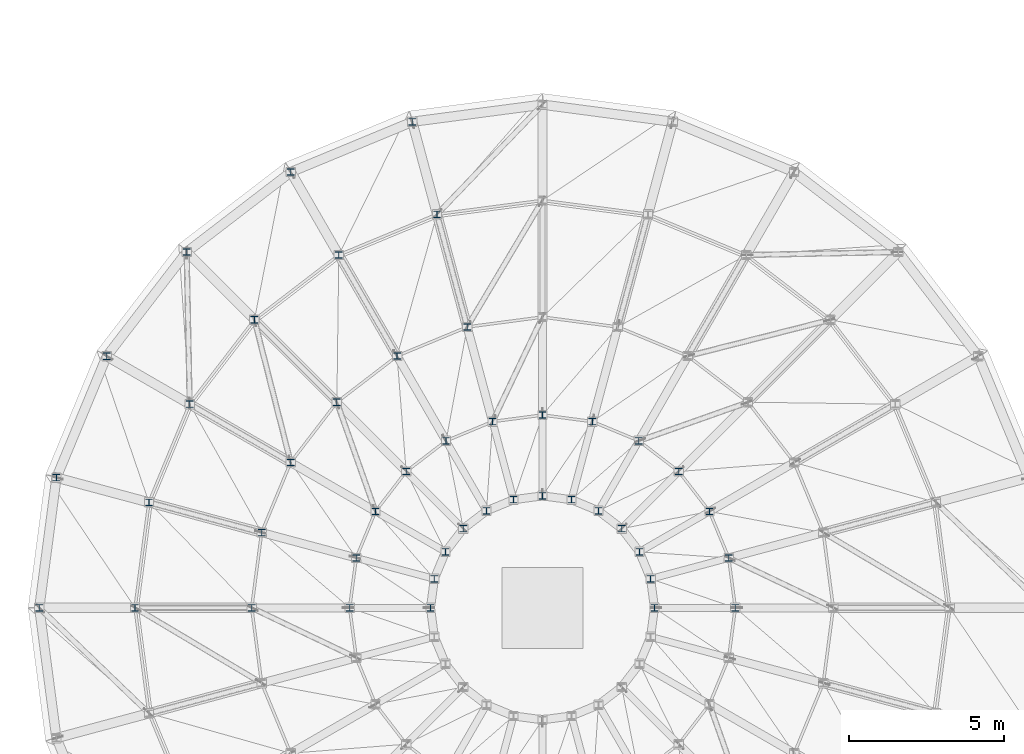
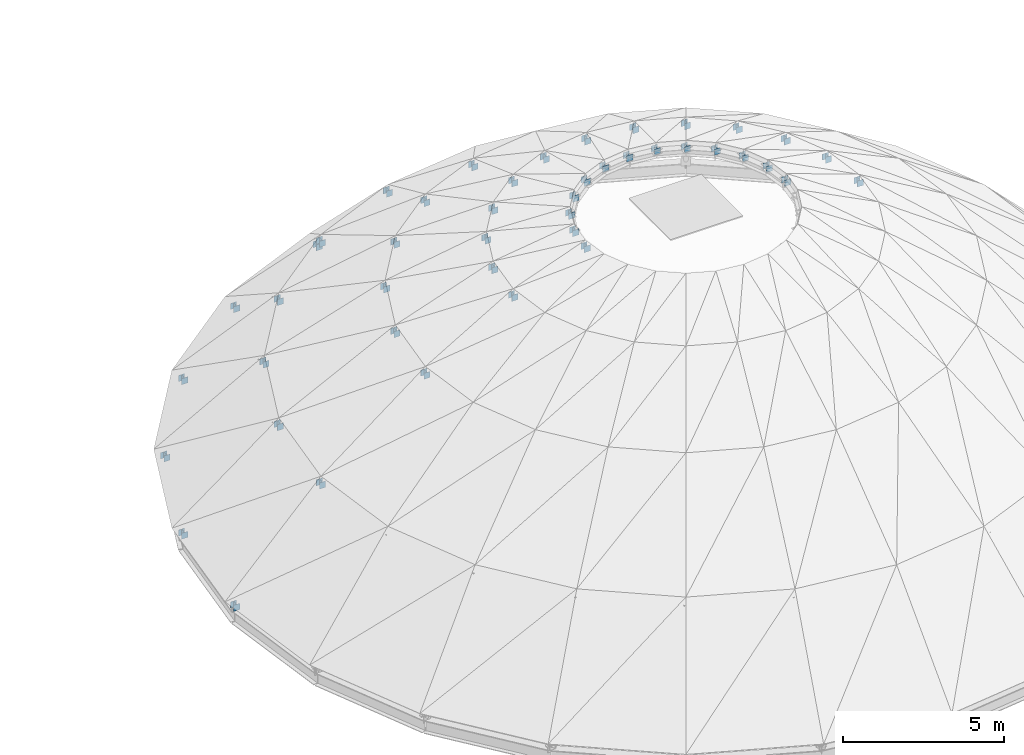
# One storey, part 8 of 19: 44 members.
"""IFC4 building model written with IfcOpenShell, lengths in metres."""

from ifc_helpers import new_model, si_unit, direction, frame, origin, origin_2d, place, context, subcontext, project, spatial, i_section, extrude, material, material_profile, profile_set, type_object, element, save


model = new_model("IFC4")

# Units and contexts
model_context = context("Model", 3, precision=1e-05, world=origin(), true_north=direction((0.0, 1.0)))
body_context = subcontext(model_context, "Body", "Model", "MODEL_VIEW")
ifc_project = project(units=[si_unit("LENGTHUNIT", "METRE"), si_unit("AREAUNIT", "SQUARE_METRE"), si_unit("VOLUMEUNIT", "CUBIC_METRE"), si_unit("PLANEANGLEUNIT", "RADIAN"), si_unit("MASSUNIT", "GRAM", prefix="KILO")], contexts=[model_context])

# Site, building, storey
site_placement = place(None, origin())
site = spatial("IfcSite", under=ifc_project, at=site_placement, CompositionType="ELEMENT")
building_placement = place(site_placement, origin())
building = spatial("IfcBuilding", under=site, at=building_placement, Name="Montecoro Central Library", CompositionType="ELEMENT")
storey_placement = place(building_placement, frame((0.0, 0.0, 25.5)))
storey = spatial("IfcBuildingStorey", under=building, at=storey_placement, Name="ROOF", CompositionType="ELEMENT", Elevation=25.5)

# Members
ifc_material = material(Name="Steel S355", Category="steel")
ifc_material_profile = material_profile(ifc_material, i_section(OverallWidth=0.219970703125, OverallDepth=0.2099609375, WebThickness=0.007080078125, FlangeThickness=0.010986328125, at=origin_2d()), Name="HEA 220")
ifc_profile_set = profile_set([ifc_material_profile], Name="Steel S355")
member_type = type_object("IfcMemberType", Name="MB-TD-HEA220", PredefinedType="STRUT", material=ifc_profile_set)
for number, where, z_axis, x_axis, name in (
    (1, (87.412109375, 51.029052734375, -8.159912109375), (0.0, 0.0, 1.0), (1.0, 0.0, 0.0), "V1-DOME-STOOL-R0-08"),
    (2, (83.510009765625, 49.412109375, -8.159912109375), (0.0, 0.0, 1.0), (1.0, 0.0, 0.0), "V1-DOME-STOOL-R0-09"),
    (3, (80.158935546875, 46.841064453125, -8.159912109375), (0.0, 0.0, 1.0), (1.0, 0.0, 0.0), "V1-DOME-STOOL-R0-10"),
    (4, (77.587890625, 43.489990234375, -8.159912109375), (0.0, 0.0, 1.0), (1.0, 0.0, 0.0), "V1-DOME-STOOL-R0-11"),
    (5, (75.970947265625, 39.587890625, -8.159912109375), (0.0, 0.0, 1.0), (1.0, 0.0, 0.0), "V1-DOME-STOOL-R0-12"),
    (6, (75.419921875, 35.39990234375, -8.159912109375), (0.0, 0.0, 1.0), (1.0, 0.0, 0.0), "V1-DOME-STOOL-R0-13"),
    (7, (88.208984375, 48.053955078125, -4.60009765625), (0.0, 0.0, 1.0), (1.0, 0.0, 0.0), "V1-DOME-STOOL-R1-08"),
    (8, (85.050048828125, 46.7451171875, -4.60009765625), (0.0, 0.0, 1.0), (1.0, 0.0, 0.0), "V1-DOME-STOOL-R1-09"),
    (9, (82.3369140625, 44.6630859375, -4.60009765625), (0.0, 0.0, 1.0), (1.0, 0.0, 0.0), "V1-DOME-STOOL-R1-10"),
    (10, (80.2548828125, 41.949951171875, -4.60009765625), (0.0, 0.0, 1.0), (1.0, 0.0, 0.0), "V1-DOME-STOOL-R1-11"),
    (11, (78.946044921875, 38.791015625, -4.60009765625), (0.0, 0.0, 1.0), (1.0, 0.0, 0.0), "V1-DOME-STOOL-R1-12"),
    (12, (78.5, 35.39990234375, -4.60009765625), (0.0, 0.0, 1.0), (1.0, 0.0, 0.0), "V1-DOME-STOOL-R1-13"),
    (13, (89.179931640625, 44.430908203125, -1.75), (0.0, 0.0, 1.0), (1.0, 0.0, 0.0), "V1-DOME-STOOL-R2-08"),
    (14, (86.925048828125, 43.4970703125, -1.75), (0.0, 0.0, 1.0), (1.0, 0.0, 0.0), "V1-DOME-STOOL-R2-09"),
    (15, (84.989013671875, 42.010986328125, -1.75), (0.0, 0.0, 1.0), (1.0, 0.0, 0.0), "V1-DOME-STOOL-R2-10"),
    (16, (83.5029296875, 40.074951171875, -1.75), (0.0, 0.0, 1.0), (1.0, 0.0, 0.0), "V1-DOME-STOOL-R2-11"),
    (17, (82.569091796875, 37.820068359375, -1.75), (0.0, 0.0, 1.0), (1.0, 0.0, 0.0), "V1-DOME-STOOL-R2-12"),
    (18, (82.25, 35.39990234375, -1.75), (0.0, 0.0, 1.0), (1.0, 0.0, 0.0), "V1-DOME-STOOL-R2-13"),
    (19, (97.800048828125, 35.39990234375, 0.10009765625), (0.0, 0.0, 1.0), (1.0, 0.0, 0.0), "V1-DOME-STOOL-R3-01"),
    (20, (97.589111328125, 37.0048828125, 0.10009765625), (0.0, 0.0, 1.0), (1.0, 0.0, 0.0), "V1-DOME-STOOL-R3-02"),
    (21, (96.968994140625, 38.5, 0.10009765625), (0.0, 0.0, 1.0), (1.0, 0.0, 0.0), "V1-DOME-STOOL-R3-03"),
    (22, (95.98388671875, 39.783935546875, 0.10009765625), (0.0, 0.0, 1.0), (1.0, 0.0, 0.0), "V1-DOME-STOOL-R3-04"),
    (23, (94.699951171875, 40.76904296875, 0.10009765625), (0.0, 0.0, 1.0), (1.0, 0.0, 0.0), "V1-DOME-STOOL-R3-05"),
    (24, (93.205078125, 41.388916015625, 0.10009765625), (0.0, 0.0, 1.0), (1.0, 0.0, 0.0), "V1-DOME-STOOL-R3-06"),
    (25, (91.60009765625, 41.60009765625, 0.10009765625), (0.0, 0.0, 1.0), (1.0, 0.0, 0.0), "V1-DOME-STOOL-R3-07"),
    (26, (89.9951171875, 41.388916015625, 0.10009765625), (0.0, 0.0, 1.0), (1.0, 0.0, 0.0), "V1-DOME-STOOL-R3-08"),
    (27, (88.5, 40.76904296875, 0.10009765625), (0.0, 0.0, 1.0), (1.0, 0.0, 0.0), "V1-DOME-STOOL-R3-09"),
    (28, (87.216064453125, 39.783935546875, 0.10009765625), (0.0, 0.0, 1.0), (1.0, 0.0, 0.0), "V1-DOME-STOOL-R3-10"),
    (29, (86.23095703125, 38.5, 0.10009765625), (0.0, 0.0, 1.0), (1.0, 0.0, 0.0), "V1-DOME-STOOL-R3-11"),
    (30, (85.611083984375, 37.0048828125, 0.10009765625), (0.0, 0.0, 1.0), (1.0, 0.0, 0.0), "V1-DOME-STOOL-R3-12"),
    (31, (85.39990234375, 35.39990234375, 0.10009765625), (0.0, 0.0, 1.0), (1.0, 0.0, 0.0), "V1-DOME-STOOL-R3-13"),
    (32, (95.199951171875, 35.39990234375, 1.0400390625), (0.0, 0.0, 1.0), (1.0, 0.0, 0.0), "V1-DOME-STOOL-R4-01"),
    (33, (95.076904296875, 36.33203125, 1.0400390625), (0.0, 0.0, 1.0), (1.0, 0.0, 0.0), "V1-DOME-STOOL-R4-02"),
    (34, (94.718017578125, 37.199951171875, 1.0400390625), (0.0, 0.0, 1.0), (1.0, 0.0, 0.0), "V1-DOME-STOOL-R4-03"),
    (35, (94.14599609375, 37.946044921875, 1.0400390625), (0.0, 0.0, 1.0), (1.0, 0.0, 0.0), "V1-DOME-STOOL-R4-04"),
    (36, (93.39990234375, 38.51806640625, 1.0400390625), (0.0, 0.0, 1.0), (1.0, 0.0, 0.0), "V1-DOME-STOOL-R4-05"),
    (37, (92.531982421875, 38.876953125, 1.0400390625), (0.0, 0.0, 1.0), (1.0, 0.0, 0.0), "V1-DOME-STOOL-R4-06"),
    (38, (91.60009765625, 39.0, 1.0400390625), (0.0, 0.0, 1.0), (1.0, 0.0, 0.0), "V1-DOME-STOOL-R4-07"),
    (39, (90.66796875, 38.876953125, 1.0400390625), (0.0, 0.0, 1.0), (1.0, 0.0, 0.0), "V1-DOME-STOOL-R4-08"),
    (40, (89.800048828125, 38.51806640625, 1.0400390625), (0.0, 0.0, 1.0), (1.0, 0.0, 0.0), "V1-DOME-STOOL-R4-09"),
    (41, (89.053955078125, 37.946044921875, 1.0400390625), (0.0, 0.0, 1.0), (1.0, 0.0, 0.0), "V1-DOME-STOOL-R4-10"),
    (42, (88.48193359375, 37.199951171875, 1.0400390625), (0.0, 0.0, 1.0), (1.0, 0.0, 0.0), "V1-DOME-STOOL-R4-11"),
    (43, (88.123046875, 36.33203125, 1.0400390625), (0.0, 0.0, 1.0), (1.0, 0.0, 0.0), "V1-DOME-STOOL-R4-12"),
    (44, (88.0, 35.39990234375, 1.0400390625), (0.0, 0.0, 1.0), (1.0, 0.0, 0.0), "V1-DOME-STOOL-R4-13"),
):
    element("IfcMember", number, at=place(storey_placement, frame(where, z_axis=z_axis, x_axis=x_axis)), inside=storey, type_object=member_type, Name=name, PredefinedType="STRUT", context=body_context, shape_type="SweptSolid", body=[
        extrude(i_section(OverallWidth=0.219970703125, OverallDepth=0.2099609375, WebThickness=0.007080078125, FlangeThickness=0.010986328125, at=origin_2d()), origin(), (0.0, 0.0, 1.0), 0.22998046875),
    ])

save(model, "model.ifc")
